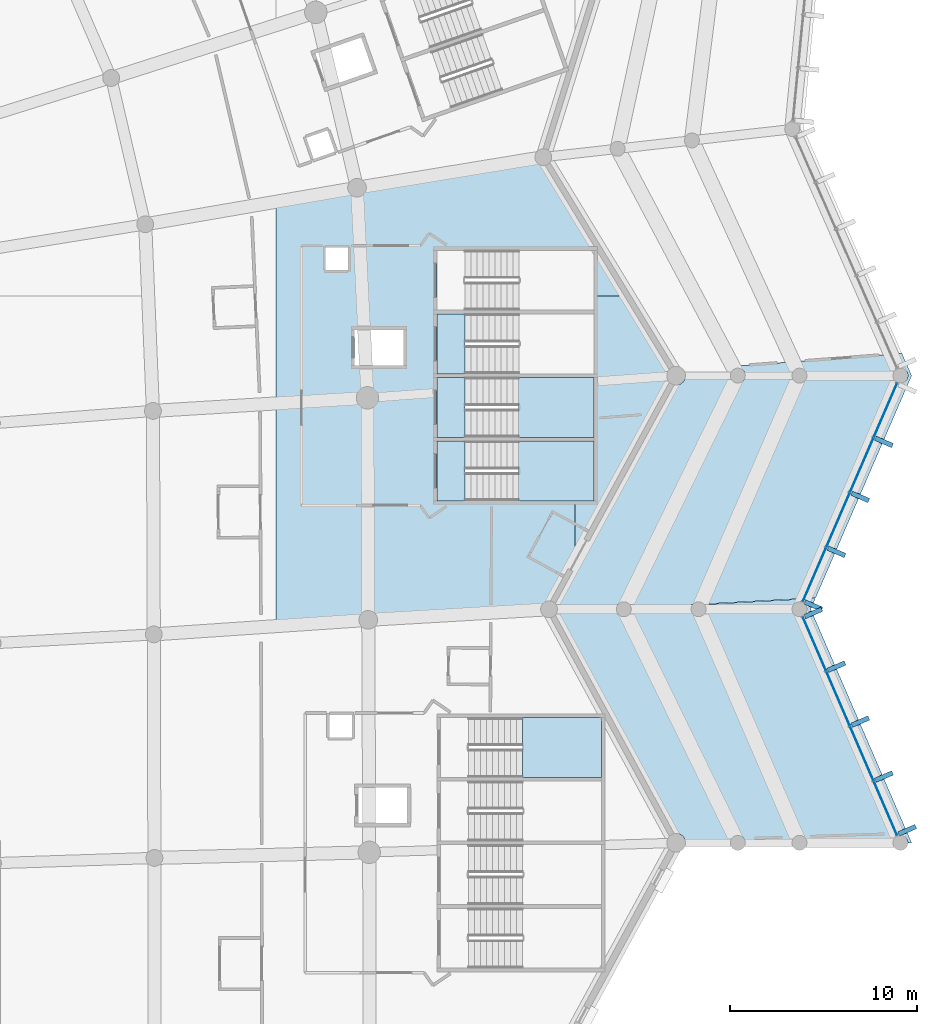
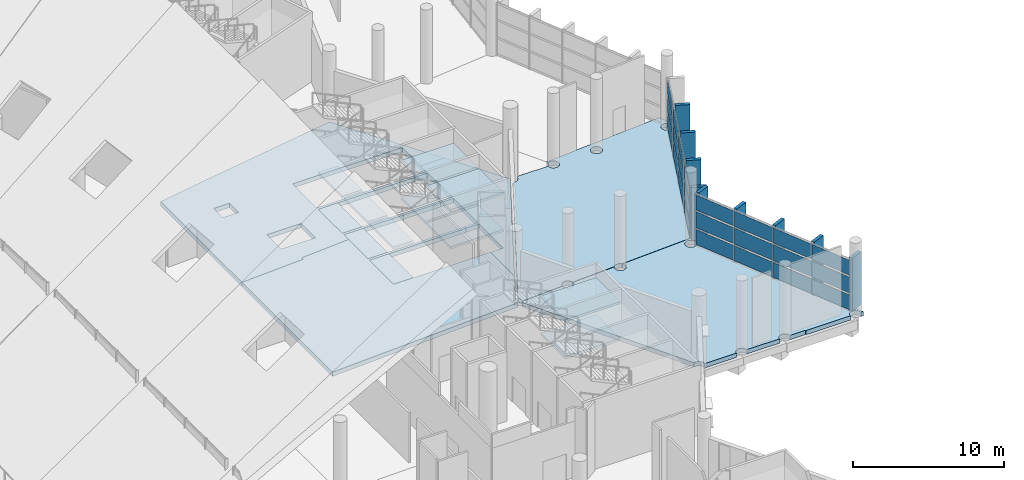
# One storey, part 129 of 249: 33 plates, 17 slabs, 6 elements without a shape of their own.
"""IFC4 building model written with IfcOpenShell, lengths in metres."""

from ifc_helpers import new_model, si_unit, direction, frame, origin, origin_2d, place, context, subcontext, project, spatial, polyline, rectangle, outline, extrude, material, layer, layer_set, type_object, element, aggregate, save


model = new_model("IFC4")

# Units and contexts
model_context = context("Model", 3, precision=1e-05, world=origin(), true_north=direction((0.0, 1.0)))
body_context = subcontext(model_context, "Body", "Model", "MODEL_VIEW")
ifc_project = project(units=[si_unit("LENGTHUNIT", "METRE"), si_unit("AREAUNIT", "SQUARE_METRE"), si_unit("VOLUMEUNIT", "CUBIC_METRE"), si_unit("PLANEANGLEUNIT", "RADIAN"), si_unit("MASSUNIT", "GRAM", prefix="KILO")], contexts=[model_context])

# Site, building, storey
site_placement = place(None, origin())
site = spatial("IfcSite", under=ifc_project, at=site_placement, CompositionType="ELEMENT")
building_placement = place(site_placement, origin())
building = spatial("IfcBuilding", under=site, at=building_placement, Name="Meseta Stadium", CompositionType="ELEMENT")
storey_placement = place(building_placement, frame((0.0, 0.0, 12.0)))
storey = spatial("IfcBuildingStorey", under=building, at=storey_placement, Name="L02", CompositionType="ELEMENT", Elevation=12.0)

# Slabs
ifc_material_1 = material(Name="Concrete C40/50", Category="concrete")
ifc_layer_1 = layer(ifc_material_1, 0.35009765625)
ifc_layer_set_1 = layer_set([ifc_layer_1], Name="Floor slab 350")
slab_type_1 = type_object("IfcSlabType", Name="Floor slab 350", PredefinedType="FLOOR", material=ifc_layer_set_1)
slab_1_placement = place(storey_placement, frame((0.0, 0.0, -0.35009765625)))
element("IfcSlab", 1, at=slab_1_placement, inside=storey, type_object=slab_type_1, Name="Floor slab L02 sector 07 panel 13", PredefinedType="FLOOR", context=body_context, shape_type="SweptSolid", body=[
    extrude(outline(polyline([(94.693115234375, 31.07861328125), (94.60009765625, 31.25), (96.0, 33.823486328125), (96.0, 37.050048828125), (88.60009765625, 37.050048828125), (88.60009765625, 40.25), (96.0, 40.25), (96.0, 40.449951171875), (88.60009765625, 40.449951171875), (88.60009765625, 43.028564453125), (84.875, 42.74267578125), (84.884033203125, 42.5615234375), (80.0, 42.263916015625), (80.0, 30.273193359375), (94.693115234375, 31.07861328125)])), origin(), (0.0, 0.0, 1.0), 0.35009765625),
])
slab_2_placement = place(storey_placement, frame((0.0, 0.0, -0.35009765625)))
element("IfcSlab", 2, at=slab_2_placement, inside=storey, type_object=slab_type_1, Name="Floor slab L02 sector 07 panel 14", PredefinedType="FLOOR", context=body_context, shape_type="SweptSolid", body=[
    extrude(outline(polyline([(88.60009765625, 47.25), (88.60009765625, 50.449951171875), (97.0, 50.449951171875), (97.0, 48.0), (98.81689453125, 48.0), (94.29443359375, 55.44140625), (84.3251953125, 53.801513671875), (80.0, 53.0556640625), (80.0, 42.263916015625), (84.884033203125, 42.5615234375), (84.875, 42.74267578125), (88.60009765625, 43.028564453125), (88.60009765625, 43.64990234375), (96.0, 43.64990234375), (96.0, 43.85009765625), (88.60009765625, 43.85009765625), (88.60009765625, 47.050048828125), (96.0, 47.050048828125), (96.0, 47.25), (88.60009765625, 47.25)]), holes=[polyline([(86.800048828125, 46.199951171875), (86.800048828125, 44.300048828125), (84.199951171875, 44.300048828125), (84.199951171875, 46.199951171875), (86.800048828125, 46.199951171875)]), polyline([(83.85009765625, 49.39990234375), (82.64990234375, 49.39990234375), (82.64990234375, 50.60009765625), (83.85009765625, 50.60009765625), (83.85009765625, 49.39990234375)])]), origin(), (0.0, 0.0, 1.0), 0.35009765625),
])
slab_3_placement = place(storey_placement, frame((0.0, 0.0, -0.35009765625)))
element("IfcSlab", 3, at=slab_3_placement, inside=storey, type_object=slab_type_1, Name="Floor slab L02 sector 07 panel 17", PredefinedType="FLOOR", context=body_context, shape_type="SweptSolid", body=[
    extrude(outline(polyline([(97.0, 40.25), (97.0, 37.050048828125), (96.0, 37.050048828125), (96.0, 33.823486328125), (101.39990234375, 43.75), (98.81689453125, 48.0), (97.0, 48.0), (97.0, 47.25), (96.0, 47.25), (96.0, 47.050048828125), (97.0, 47.050048828125), (97.0, 43.85009765625), (96.0, 43.85009765625), (96.0, 43.64990234375), (97.0, 43.64990234375), (97.0, 40.449951171875), (96.0, 40.449951171875), (96.0, 40.25), (97.0, 40.25)])), origin(), (0.0, 0.0, 1.0), 0.35009765625),
])
slab_4_placement = place(storey_placement, frame((0.0, 0.0, -0.35009765625)))
element("IfcSlab", 4, at=slab_4_placement, inside=storey, type_object=slab_type_1, Name="Ring floor slab L02 1 part 1 panel 07", PredefinedType="FLOOR", context=body_context, shape_type="SweptSolid", body=[
    extrude(outline(polyline([(101.904296875, 43.75), (101.88720703125, 43.619384765625), (101.836669921875, 43.497802734375), (101.756591796875, 43.393310546875), (101.652099609375, 43.313232421875), (101.530517578125, 43.262939453125), (101.39990234375, 43.24560546875), (101.30322265625, 43.25830078125), (94.935302734375, 31.55224609375), (94.9931640625, 31.476806640625), (95.038330078125, 31.367431640625), (95.053955078125, 31.25), (95.038330078125, 31.132568359375), (95.023681640625, 31.0966796875), (98.19921875, 31.27099609375), (98.210205078125, 31.3544921875), (98.25048828125, 31.45166015625), (98.314697265625, 31.535400390625), (98.398193359375, 31.599365234375), (98.49560546875, 31.6396484375), (98.60009765625, 31.653564453125), (98.704345703125, 31.6396484375), (98.8017578125, 31.599365234375), (98.88525390625, 31.535400390625), (98.949462890625, 31.45166015625), (98.98974609375, 31.3544921875), (98.9951171875, 31.314697265625), (102.28369140625, 31.494873046875), (102.314697265625, 31.535400390625), (102.398193359375, 31.599365234375), (102.49560546875, 31.6396484375), (102.60009765625, 31.653564453125), (102.704345703125, 31.6396484375), (102.8017578125, 31.599365234375), (102.88525390625, 31.535400390625), (102.890869140625, 31.5283203125), (108.861572265625, 31.85546875), (114.0, 43.75), (113.480712890625, 44.938232421875), (104.438232421875, 44.244140625), (104.511962890625, 44.10498046875), (104.595703125, 44.1396484375), (104.699951171875, 44.153564453125), (104.804443359375, 44.1396484375), (104.901611328125, 44.099365234375), (104.9853515625, 44.035400390625), (105.04931640625, 43.95166015625), (105.089599609375, 43.8544921875), (105.103515625, 43.75), (105.089599609375, 43.6455078125), (105.04931640625, 43.54833984375), (104.9853515625, 43.464599609375), (104.901611328125, 43.400634765625), (104.804443359375, 43.3603515625), (104.699951171875, 43.346435546875), (104.595703125, 43.3603515625), (104.498291015625, 43.400634765625), (104.414794921875, 43.464599609375), (104.3505859375, 43.54833984375), (104.310302734375, 43.6455078125), (104.29638671875, 43.75), (101.904296875, 43.75)]), holes=[polyline([(113.11474609375, 44.035400390625), (113.1982421875, 44.099365234375), (113.295654296875, 44.1396484375), (113.39990234375, 44.153564453125), (113.50439453125, 44.1396484375), (113.601806640625, 44.099365234375), (113.685302734375, 44.035400390625), (113.74951171875, 43.95166015625), (113.789794921875, 43.8544921875), (113.803466796875, 43.75), (113.789794921875, 43.6455078125), (113.74951171875, 43.54833984375), (113.685302734375, 43.464599609375), (113.601806640625, 43.400634765625), (113.50439453125, 43.3603515625), (113.39990234375, 43.346435546875), (113.295654296875, 43.3603515625), (113.1982421875, 43.400634765625), (113.11474609375, 43.464599609375), (113.050537109375, 43.54833984375), (113.01025390625, 43.6455078125), (112.99658203125, 43.75), (113.01025390625, 43.8544921875), (113.050537109375, 43.95166015625), (113.11474609375, 44.035400390625)]), polyline([(108.20166015625, 44.099365234375), (108.285400390625, 44.035400390625), (108.349365234375, 43.95166015625), (108.3896484375, 43.8544921875), (108.403564453125, 43.75), (108.3896484375, 43.6455078125), (108.349365234375, 43.54833984375), (108.285400390625, 43.464599609375), (108.20166015625, 43.400634765625), (108.1044921875, 43.3603515625), (108.0, 43.346435546875), (107.8955078125, 43.3603515625), (107.79833984375, 43.400634765625), (107.714599609375, 43.464599609375), (107.650634765625, 43.54833984375), (107.6103515625, 43.6455078125), (107.596435546875, 43.75), (107.6103515625, 43.8544921875), (107.650634765625, 43.95166015625), (107.714599609375, 44.035400390625), (107.79833984375, 44.099365234375), (107.8955078125, 44.1396484375), (108.0, 44.153564453125), (108.1044921875, 44.1396484375), (108.20166015625, 44.099365234375)])]), origin(), (0.0, 0.0, 1.0), 0.35009765625),
])
slab_5_placement = place(storey_placement, frame((0.0, 0.0, -0.35009765625)))
element("IfcSlab", 5, at=slab_5_placement, inside=storey, type_object=slab_type_1, Name="Ring floor slab L02 1 part 2", PredefinedType="FLOOR", context=body_context, shape_type="SweptSolid", body=[
    extrude(outline(polyline([(101.88720703125, 18.880615234375), (101.898681640625, 18.79150390625), (104.302001953125, 18.79150390625), (104.310302734375, 18.8544921875), (104.3505859375, 18.95166015625), (104.414794921875, 19.035400390625), (104.498291015625, 19.099365234375), (104.595703125, 19.1396484375), (104.699951171875, 19.153564453125), (104.804443359375, 19.1396484375), (104.901611328125, 19.099365234375), (104.9853515625, 19.035400390625), (105.04931640625, 18.95166015625), (105.089599609375, 18.8544921875), (105.097900390625, 18.79150390625), (107.60205078125, 18.79150390625), (107.6103515625, 18.8544921875), (107.650634765625, 18.95166015625), (107.714599609375, 19.035400390625), (107.79833984375, 19.099365234375), (107.8955078125, 19.1396484375), (108.0, 19.153564453125), (108.1044921875, 19.1396484375), (108.20166015625, 19.099365234375), (108.285400390625, 19.035400390625), (108.349365234375, 18.95166015625), (108.3896484375, 18.8544921875), (108.39794921875, 18.79150390625), (109.593994140625, 18.79150390625), (109.60009765625, 18.75), (112.99658203125, 18.75), (113.01025390625, 18.8544921875), (113.050537109375, 18.95166015625), (113.11474609375, 19.035400390625), (113.1982421875, 19.099365234375), (113.295654296875, 19.1396484375), (113.39990234375, 19.153564453125), (113.50439453125, 19.1396484375), (113.601806640625, 19.099365234375), (113.685302734375, 19.035400390625), (113.74951171875, 18.95166015625), (113.789794921875, 18.8544921875), (113.803466796875, 18.75), (114.0, 18.75), (108.60009765625, 31.25), (108.852783203125, 31.8349609375), (102.905517578125, 31.5087890625), (102.949462890625, 31.45166015625), (102.98974609375, 31.3544921875), (103.00341796875, 31.25), (102.98974609375, 31.1455078125), (102.949462890625, 31.04833984375), (102.88525390625, 30.964599609375), (102.8017578125, 30.900634765625), (102.704345703125, 30.8603515625), (102.60009765625, 30.846435546875), (102.49560546875, 30.8603515625), (102.398193359375, 30.900634765625), (102.314697265625, 30.964599609375), (102.25048828125, 31.04833984375), (102.210205078125, 31.1455078125), (102.196533203125, 31.25), (102.210205078125, 31.3544921875), (102.25048828125, 31.45166015625), (102.267578125, 31.47412109375), (98.99755859375, 31.294677734375), (99.00341796875, 31.25), (98.98974609375, 31.1455078125), (98.949462890625, 31.04833984375), (98.88525390625, 30.964599609375), (98.8017578125, 30.900634765625), (98.704345703125, 30.8603515625), (98.60009765625, 30.846435546875), (98.49560546875, 30.8603515625), (98.398193359375, 30.900634765625), (98.314697265625, 30.964599609375), (98.25048828125, 31.04833984375), (98.210205078125, 31.1455078125), (98.196533203125, 31.25), (98.196533203125, 31.250732421875), (95.01513671875, 31.076416015625), (94.9931640625, 31.023193359375), (94.935302734375, 30.94775390625), (101.30322265625, 19.24169921875), (101.39990234375, 19.25439453125), (101.530517578125, 19.237060546875), (101.652099609375, 19.186767578125), (101.756591796875, 19.106689453125), (101.836669921875, 19.002197265625), (101.88720703125, 18.880615234375)]), holes=[polyline([(108.0, 30.846435546875), (107.8955078125, 30.8603515625), (107.79833984375, 30.900634765625), (107.714599609375, 30.964599609375), (107.650634765625, 31.04833984375), (107.6103515625, 31.1455078125), (107.596435546875, 31.25), (107.6103515625, 31.3544921875), (107.650634765625, 31.45166015625), (107.714599609375, 31.535400390625), (107.79833984375, 31.599365234375), (107.8955078125, 31.6396484375), (108.0, 31.653564453125), (108.1044921875, 31.6396484375), (108.20166015625, 31.599365234375), (108.285400390625, 31.535400390625), (108.349365234375, 31.45166015625), (108.3896484375, 31.3544921875), (108.403564453125, 31.25), (108.3896484375, 31.1455078125), (108.349365234375, 31.04833984375), (108.285400390625, 30.964599609375), (108.20166015625, 30.900634765625), (108.1044921875, 30.8603515625), (108.0, 30.846435546875)])]), origin(), (0.0, 0.0, 1.0), 0.35009765625),
])

# Curtain wall, plates
ifc_material_2 = material(Name="Aluminium", Category="aluminium")
ifc_layer_2 = layer(ifc_material_2, 0.199951171875)
ifc_layer_set_2 = layer_set([ifc_layer_2], Name="Ring shopfront curtain wall")
curtain_wall_type = type_object("IfcCurtainWallType", Name="Ring shopfront curtain wall", PredefinedType="NOTDEFINED", material=ifc_layer_set_2)
curtain_wall_1_placement = place(storey_placement, origin())
curtain_wall_1 = element("IfcCurtainWall", 6, at=curtain_wall_1_placement, inside=storey, type_object=curtain_wall_type, Name="Ring glazing L02 F06", PredefinedType="NOTDEFINED")
ifc_material_3 = material(Name="Glass", Category="glass")
ifc_layer_3 = layer(ifc_material_3, 0.035888671875)
ifc_layer_set_3 = layer_set([ifc_layer_3], Name="Ring CW glass panel 36")
plate_type_1 = type_object("IfcPlateType", Name="Ring CW glass panel 36", PredefinedType="CURTAIN_PANEL", material=ifc_layer_set_3)
plate_1_placement = place(storey_placement, frame((112.60009765625, 20.6015625, 0.14990234375), z_axis=(0.0, 0.0, 1.0), x_axis=(-0.396580687073, 0.91799986854, 0.0)))
plate_1 = element("IfcPlate", 7, at=plate_1_placement, type_object=plate_type_1, Name="CWR1 panel 1.1", PredefinedType="CURTAIN_PANEL", context=body_context, shape_type="SweptSolid", body=[
    extrude(rectangle(XDim=3.1142578125, YDim=0.035888671875, at=origin_2d()), origin(), (0.0, 0.0, 1.0), 1.208251953125),
])
plate_2_placement = place(storey_placement, frame((112.60009765625, 20.6015625, 1.50830078125), z_axis=(0.0, 0.0, 1.0), x_axis=(-0.396580687073, 0.91799986854, 0.0)))
plate_2 = element("IfcPlate", 8, at=plate_2_placement, type_object=plate_type_1, Name="CWR1 panel 1.2", PredefinedType="CURTAIN_PANEL", context=body_context, shape_type="SweptSolid", body=[
    extrude(rectangle(XDim=3.1142578125, YDim=0.035888671875, at=origin_2d()), origin(), (0.0, 0.0, 1.0), 1.283447265625),
])
plate_3_placement = place(storey_placement, frame((112.60009765625, 20.6015625, 2.94189453125), z_axis=(0.0, 0.0, 1.0), x_axis=(-0.396580687073, 0.91799986854, 0.0)))
plate_3 = element("IfcPlate", 9, at=plate_3_placement, type_object=plate_type_1, Name="CWR1 panel 1.3", PredefinedType="CURTAIN_PANEL", context=body_context, shape_type="SweptSolid", body=[
    extrude(rectangle(XDim=3.1142578125, YDim=0.035888671875, at=origin_2d()), origin(), (0.0, 0.0, 1.0), 1.208251953125),
])
plate_4_placement = place(storey_placement, frame((111.33544921875, 23.529296875, 0.14990234375), z_axis=(0.0, 0.0, 1.0), x_axis=(-0.396580687073, 0.91799986854, 0.0)))
plate_4 = element("IfcPlate", 10, at=plate_4_placement, type_object=plate_type_1, Name="CWR1 panel 2.1", PredefinedType="CURTAIN_PANEL", context=body_context, shape_type="SweptSolid", body=[
    extrude(rectangle(XDim=3.14404296875, YDim=0.035888671875, at=origin_2d()), origin(), (0.0, 0.0, 1.0), 1.208251953125),
])
plate_5_placement = place(storey_placement, frame((111.33544921875, 23.529296875, 1.50830078125), z_axis=(0.0, 0.0, 1.0), x_axis=(-0.396580687073, 0.91799986854, 0.0)))
plate_5 = element("IfcPlate", 11, at=plate_5_placement, type_object=plate_type_1, Name="CWR1 panel 2.2", PredefinedType="CURTAIN_PANEL", context=body_context, shape_type="SweptSolid", body=[
    extrude(rectangle(XDim=3.14404296875, YDim=0.035888671875, at=origin_2d()), origin(), (0.0, 0.0, 1.0), 1.283447265625),
])
plate_6_placement = place(storey_placement, frame((111.33544921875, 23.529296875, 2.94189453125), z_axis=(0.0, 0.0, 1.0), x_axis=(-0.396580687073, 0.91799986854, 0.0)))
plate_6 = element("IfcPlate", 12, at=plate_6_placement, type_object=plate_type_1, Name="CWR1 panel 2.3", PredefinedType="CURTAIN_PANEL", context=body_context, shape_type="SweptSolid", body=[
    extrude(rectangle(XDim=3.14404296875, YDim=0.035888671875, at=origin_2d()), origin(), (0.0, 0.0, 1.0), 1.208251953125),
])
plate_7_placement = place(storey_placement, frame((110.064697265625, 26.470703125, 0.14990234375), z_axis=(0.0, 0.0, 1.0), x_axis=(-0.396580687073, 0.91799986854, 0.0)))
plate_7 = element("IfcPlate", 13, at=plate_7_placement, type_object=plate_type_1, Name="CWR1 panel 3.1", PredefinedType="CURTAIN_PANEL", context=body_context, shape_type="SweptSolid", body=[
    extrude(rectangle(XDim=3.14404296875, YDim=0.035888671875, at=origin_2d()), origin(), (0.0, 0.0, 1.0), 1.208251953125),
])
plate_8_placement = place(storey_placement, frame((110.064697265625, 26.470703125, 1.50830078125), z_axis=(0.0, 0.0, 1.0), x_axis=(-0.396580687073, 0.91799986854, 0.0)))
plate_8 = element("IfcPlate", 14, at=plate_8_placement, type_object=plate_type_1, Name="CWR1 panel 3.2", PredefinedType="CURTAIN_PANEL", context=body_context, shape_type="SweptSolid", body=[
    extrude(rectangle(XDim=3.14404296875, YDim=0.035888671875, at=origin_2d()), origin(), (0.0, 0.0, 1.0), 1.283447265625),
])
plate_9_placement = place(storey_placement, frame((110.064697265625, 26.470703125, 2.94189453125), z_axis=(0.0, 0.0, 1.0), x_axis=(-0.396580687073, 0.91799986854, 0.0)))
plate_9 = element("IfcPlate", 15, at=plate_9_placement, type_object=plate_type_1, Name="CWR1 panel 3.3", PredefinedType="CURTAIN_PANEL", context=body_context, shape_type="SweptSolid", body=[
    extrude(rectangle(XDim=3.14404296875, YDim=0.035888671875, at=origin_2d()), origin(), (0.0, 0.0, 1.0), 1.208251953125),
])
plate_10_placement = place(storey_placement, frame((108.7998046875, 29.3984375, 0.14990234375), z_axis=(0.0, 0.0, 1.0), x_axis=(-0.396580687073, 0.91799986854, 0.0)))
plate_10 = element("IfcPlate", 16, at=plate_10_placement, type_object=plate_type_1, Name="CWR1 panel 4.1", PredefinedType="CURTAIN_PANEL", context=body_context, shape_type="SweptSolid", body=[
    extrude(rectangle(XDim=3.1142578125, YDim=0.035888671875, at=origin_2d()), origin(), (0.0, 0.0, 1.0), 1.208251953125),
])
plate_11_placement = place(storey_placement, frame((108.7998046875, 29.3984375, 1.50830078125), z_axis=(0.0, 0.0, 1.0), x_axis=(-0.396580687073, 0.91799986854, 0.0)))
plate_11 = element("IfcPlate", 17, at=plate_11_placement, type_object=plate_type_1, Name="CWR1 panel 4.2", PredefinedType="CURTAIN_PANEL", context=body_context, shape_type="SweptSolid", body=[
    extrude(rectangle(XDim=3.1142578125, YDim=0.035888671875, at=origin_2d()), origin(), (0.0, 0.0, 1.0), 1.283447265625),
])
plate_12_placement = place(storey_placement, frame((108.7998046875, 29.3984375, 2.94189453125), z_axis=(0.0, 0.0, 1.0), x_axis=(-0.396580687073, 0.91799986854, 0.0)))
plate_12 = element("IfcPlate", 18, at=plate_12_placement, type_object=plate_type_1, Name="CWR1 panel 4.3", PredefinedType="CURTAIN_PANEL", context=body_context, shape_type="SweptSolid", body=[
    extrude(rectangle(XDim=3.1142578125, YDim=0.035888671875, at=origin_2d()), origin(), (0.0, 0.0, 1.0), 1.208251953125),
])
aggregate(curtain_wall_1, [plate_1, plate_2, plate_3, plate_4, plate_5, plate_6, plate_7, plate_8, plate_9, plate_10, plate_11, plate_12])

curtain_wall_2_placement = place(storey_placement, origin())
curtain_wall_2 = element("IfcCurtainWall", 19, at=curtain_wall_2_placement, inside=storey, type_object=curtain_wall_type, Name="Ring glazing L02 F07", PredefinedType="NOTDEFINED")
plate_13_placement = place(storey_placement, frame((108.7998046875, 33.1015625, 0.14990234375), z_axis=(0.0, 0.0, 1.0), x_axis=(0.396580687073, 0.91799986854, 0.0)))
plate_13 = element("IfcPlate", 20, at=plate_13_placement, type_object=plate_type_1, Name="CWR1 panel 1.1", PredefinedType="CURTAIN_PANEL", context=body_context, shape_type="SweptSolid", body=[
    extrude(rectangle(XDim=3.1142578125, YDim=0.035888671875, at=origin_2d()), origin(), (0.0, 0.0, 1.0), 1.208251953125),
])
plate_14_placement = place(storey_placement, frame((108.7998046875, 33.1015625, 1.50830078125), z_axis=(0.0, 0.0, 1.0), x_axis=(0.396580687073, 0.91799986854, 0.0)))
plate_14 = element("IfcPlate", 21, at=plate_14_placement, type_object=plate_type_1, Name="CWR1 panel 1.2", PredefinedType="CURTAIN_PANEL", context=body_context, shape_type="SweptSolid", body=[
    extrude(rectangle(XDim=3.1142578125, YDim=0.035888671875, at=origin_2d()), origin(), (0.0, 0.0, 1.0), 1.283447265625),
])
plate_15_placement = place(storey_placement, frame((108.7998046875, 33.1015625, 2.94189453125), z_axis=(0.0, 0.0, 1.0), x_axis=(0.396580687073, 0.91799986854, 0.0)))
plate_15 = element("IfcPlate", 22, at=plate_15_placement, type_object=plate_type_1, Name="CWR1 panel 1.3", PredefinedType="CURTAIN_PANEL", context=body_context, shape_type="SweptSolid", body=[
    extrude(rectangle(XDim=3.1142578125, YDim=0.035888671875, at=origin_2d()), origin(), (0.0, 0.0, 1.0), 1.208251953125),
])
plate_16_placement = place(storey_placement, frame((110.064697265625, 36.029296875, 0.14990234375), z_axis=(0.0, 0.0, 1.0), x_axis=(0.396580687073, 0.91799986854, 0.0)))
plate_16 = element("IfcPlate", 23, at=plate_16_placement, type_object=plate_type_1, Name="CWR1 panel 2.1", PredefinedType="CURTAIN_PANEL", context=body_context, shape_type="SweptSolid", body=[
    extrude(rectangle(XDim=3.14404296875, YDim=0.035888671875, at=origin_2d()), origin(), (0.0, 0.0, 1.0), 1.208251953125),
])
plate_17_placement = place(storey_placement, frame((110.064697265625, 36.029296875, 1.50830078125), z_axis=(0.0, 0.0, 1.0), x_axis=(0.396580687073, 0.91799986854, 0.0)))
plate_17 = element("IfcPlate", 24, at=plate_17_placement, type_object=plate_type_1, Name="CWR1 panel 2.2", PredefinedType="CURTAIN_PANEL", context=body_context, shape_type="SweptSolid", body=[
    extrude(rectangle(XDim=3.14404296875, YDim=0.035888671875, at=origin_2d()), origin(), (0.0, 0.0, 1.0), 1.283447265625),
])
plate_18_placement = place(storey_placement, frame((110.064697265625, 36.029296875, 2.94189453125), z_axis=(0.0, 0.0, 1.0), x_axis=(0.396580687073, 0.91799986854, 0.0)))
plate_18 = element("IfcPlate", 25, at=plate_18_placement, type_object=plate_type_1, Name="CWR1 panel 2.3", PredefinedType="CURTAIN_PANEL", context=body_context, shape_type="SweptSolid", body=[
    extrude(rectangle(XDim=3.14404296875, YDim=0.035888671875, at=origin_2d()), origin(), (0.0, 0.0, 1.0), 1.208251953125),
])
plate_19_placement = place(storey_placement, frame((111.33544921875, 38.970703125, 0.14990234375), z_axis=(0.0, 0.0, 1.0), x_axis=(0.396580687073, 0.91799986854, 0.0)))
plate_19 = element("IfcPlate", 26, at=plate_19_placement, type_object=plate_type_1, Name="CWR1 panel 3.1", PredefinedType="CURTAIN_PANEL", context=body_context, shape_type="SweptSolid", body=[
    extrude(rectangle(XDim=3.14404296875, YDim=0.035888671875, at=origin_2d()), origin(), (0.0, 0.0, 1.0), 1.208251953125),
])
plate_20_placement = place(storey_placement, frame((111.33544921875, 38.970703125, 1.50830078125), z_axis=(0.0, 0.0, 1.0), x_axis=(0.396580687073, 0.91799986854, 0.0)))
plate_20 = element("IfcPlate", 27, at=plate_20_placement, type_object=plate_type_1, Name="CWR1 panel 3.2", PredefinedType="CURTAIN_PANEL", context=body_context, shape_type="SweptSolid", body=[
    extrude(rectangle(XDim=3.14404296875, YDim=0.035888671875, at=origin_2d()), origin(), (0.0, 0.0, 1.0), 1.283447265625),
])
plate_21_placement = place(storey_placement, frame((111.33544921875, 38.970703125, 2.94189453125), z_axis=(0.0, 0.0, 1.0), x_axis=(0.396580687073, 0.91799986854, 0.0)))
plate_21 = element("IfcPlate", 28, at=plate_21_placement, type_object=plate_type_1, Name="CWR1 panel 3.3", PredefinedType="CURTAIN_PANEL", context=body_context, shape_type="SweptSolid", body=[
    extrude(rectangle(XDim=3.14404296875, YDim=0.035888671875, at=origin_2d()), origin(), (0.0, 0.0, 1.0), 1.208251953125),
])
plate_22_placement = place(storey_placement, frame((112.60009765625, 41.8984375, 0.14990234375), z_axis=(0.0, 0.0, 1.0), x_axis=(0.396580687073, 0.91799986854, 0.0)))
plate_22 = element("IfcPlate", 29, at=plate_22_placement, type_object=plate_type_1, Name="CWR1 panel 4.1", PredefinedType="CURTAIN_PANEL", context=body_context, shape_type="SweptSolid", body=[
    extrude(rectangle(XDim=3.1142578125, YDim=0.035888671875, at=origin_2d()), origin(), (0.0, 0.0, 1.0), 1.208251953125),
])
plate_23_placement = place(storey_placement, frame((112.60009765625, 41.8984375, 1.50830078125), z_axis=(0.0, 0.0, 1.0), x_axis=(0.396580687073, 0.91799986854, 0.0)))
plate_23 = element("IfcPlate", 30, at=plate_23_placement, type_object=plate_type_1, Name="CWR1 panel 4.2", PredefinedType="CURTAIN_PANEL", context=body_context, shape_type="SweptSolid", body=[
    extrude(rectangle(XDim=3.1142578125, YDim=0.035888671875, at=origin_2d()), origin(), (0.0, 0.0, 1.0), 1.283447265625),
])
plate_24_placement = place(storey_placement, frame((112.60009765625, 41.8984375, 2.94189453125), z_axis=(0.0, 0.0, 1.0), x_axis=(0.396580687073, 0.91799986854, 0.0)))
plate_24 = element("IfcPlate", 31, at=plate_24_placement, type_object=plate_type_1, Name="CWR1 panel 4.3", PredefinedType="CURTAIN_PANEL", context=body_context, shape_type="SweptSolid", body=[
    extrude(rectangle(XDim=3.1142578125, YDim=0.035888671875, at=origin_2d()), origin(), (0.0, 0.0, 1.0), 1.208251953125),
])
aggregate(curtain_wall_2, [plate_13, plate_14, plate_15, plate_16, plate_17, plate_18, plate_19, plate_20, plate_21, plate_22, plate_23, plate_24])

# Plates
ifc_material_4 = material(Name="Precast concrete C40/50", Category="concrete")
ifc_layer_4 = layer(ifc_material_4, 0.25)
ifc_layer_set_4 = layer_set([ifc_layer_4], Name="Ring brise-soleil fin 250x1000")
plate_type_2 = type_object("IfcPlateType", Name="Ring brise-soleil fin 250x1000", PredefinedType="USERDEFINED", material=ifc_layer_set_4)
for number, where, z_axis, x_axis, name in (
    (32, (113.762451171875, 19.424072265625, 0.0), (0.0, 0.0, 1.0), (-0.396575976693, 0.918001903435, 0.0), "Brise-soleil fin L02 F06.1"),
    (33, (112.521484375, 22.29638671875, 0.0), (0.0, 0.0, 1.0), (-0.396575976693, 0.918001903435, 0.0), "Brise-soleil fin L02 F06.2"),
    (34, (111.250732421875, 25.23779296875, 0.0), (0.0, 0.0, 1.0), (-0.396575976693, 0.918001903435, 0.0), "Brise-soleil fin L02 F06.3"),
    (35, (109.97998046875, 28.17919921875, 0.0), (0.0, 0.0, 1.0), (-0.396575976693, 0.918001903435, 0.0), "Brise-soleil fin L02 F06.4"),
    (36, (108.7392578125, 31.052001953125, 0.0), (0.0, 0.0, 1.0), (-0.396575976693, 0.918001903435, 0.0), "Brise-soleil fin L02 F06.5"),
    (37, (108.7392578125, 31.447998046875, 0.0), (0.0, 0.0, 1.0), (0.396575976693, 0.918001903435, 0.0), "Brise-soleil fin L02 F07.1"),
    (38, (109.97998046875, 34.32080078125, 0.0), (0.0, 0.0, 1.0), (0.396575976693, 0.918001903435, 0.0), "Brise-soleil fin L02 F07.2"),
    (39, (111.250732421875, 37.26220703125, 0.0), (0.0, 0.0, 1.0), (0.396575976693, 0.918001903435, 0.0), "Brise-soleil fin L02 F07.3"),
    (40, (112.521484375, 40.20361328125, 0.0), (0.0, 0.0, 1.0), (0.396575976693, 0.918001903435, 0.0), "Brise-soleil fin L02 F07.4"),
):
    element("IfcPlate", number, at=place(storey_placement, frame(where, z_axis=z_axis, x_axis=x_axis)), inside=storey, type_object=plate_type_2, Name=name, ObjectType="FIN", PredefinedType="USERDEFINED", context=body_context, shape_type="SweptSolid", body=[
        extrude(rectangle(XDim=0.25, YDim=1.0, at=origin_2d()), origin(), (0.0, 0.0, 1.0), 4.300048828125),
    ])

# Stair, slabs
ifc_material_5 = material(Name="Concrete C40/50", Category="concrete")
stair_type = type_object("IfcStairType", Name="Exit stair 4 flights 150 mm risers", PredefinedType="HALF_TURN_STAIR", material=ifc_material_5)
stair_1_placement = place(storey_placement, origin())
stair_1 = element("IfcStair", 41, at=stair_1_placement, inside=storey, type_object=stair_type, Name="ST16 L02", PredefinedType="HALF_TURN_STAIR")
ifc_material_6 = material(Name="Concrete C40/50", Category="concrete")
ifc_layer_5 = layer(ifc_material_6, 0.199951171875)
ifc_layer_set_5 = layer_set([ifc_layer_5], Name="Stair landing 200")
slab_type_2 = type_object("IfcSlabType", Name="Stair landing 200", PredefinedType="LANDING", material=ifc_layer_set_5)
slab_6_placement = place(storey_placement, frame((0.0, 0.0, 1.300048828125)))
slab_6 = element("IfcSlab", 42, at=slab_6_placement, type_object=slab_type_2, Name="ST16 L02 landing 1", PredefinedType="LANDING", context=body_context, shape_type="SweptSolid", body=[
    extrude(outline(polyline([(93.169921875, 22.25), (97.39990234375, 22.25), (97.39990234375, 25.449951171875), (93.169921875, 25.449951171875), (93.169921875, 22.25)])), origin(), (0.0, 0.0, 1.0), 0.199951171875),
])
slab_7_placement = place(storey_placement, frame((0.0, 0.0, 4.300048828125)))
slab_7 = element("IfcSlab", 43, at=slab_7_placement, type_object=slab_type_2, Name="ST16 L02 landing 3", PredefinedType="LANDING", context=body_context, shape_type="SweptSolid", body=[
    extrude(outline(polyline([(93.169921875, 22.25), (97.39990234375, 22.25), (97.39990234375, 25.449951171875), (93.169921875, 25.449951171875), (93.169921875, 22.25)])), origin(), (0.0, 0.0, 1.0), 0.199951171875),
])
aggregate(stair_1, [slab_6, slab_7])

stair_2_placement = place(storey_placement, origin())
stair_2 = element("IfcStair", 44, at=stair_2_placement, inside=storey, type_object=stair_type, Name="ST17 L02", PredefinedType="HALF_TURN_STAIR")
slab_8_placement = place(storey_placement, frame((0.0, 0.0, 1.300048828125)))
slab_8 = element("IfcSlab", 45, at=slab_8_placement, type_object=slab_type_2, Name="ST17 L02 landing 1", PredefinedType="LANDING", context=body_context, shape_type="SweptSolid", body=[
    extrude(outline(polyline([(92.969970703125, 37.050048828125), (97.0, 37.050048828125), (97.0, 40.25), (92.969970703125, 40.25), (92.969970703125, 37.050048828125)])), origin(), (0.0, 0.0, 1.0), 0.199951171875),
])
slab_9_placement = place(storey_placement, frame((0.0, 0.0, 2.800048828125)))
slab_9 = element("IfcSlab", 46, at=slab_9_placement, type_object=slab_type_2, Name="ST17 L02 landing 2", PredefinedType="LANDING", context=body_context, shape_type="SweptSolid", body=[
    extrude(outline(polyline([(88.60009765625, 37.050048828125), (90.110107421875, 37.050048828125), (90.110107421875, 40.25), (88.60009765625, 40.25), (88.60009765625, 37.050048828125)])), origin(), (0.0, 0.0, 1.0), 0.199951171875),
])
slab_10_placement = place(storey_placement, frame((0.0, 0.0, 4.300048828125)))
slab_10 = element("IfcSlab", 47, at=slab_10_placement, type_object=slab_type_2, Name="ST17 L02 landing 3", PredefinedType="LANDING", context=body_context, shape_type="SweptSolid", body=[
    extrude(outline(polyline([(92.969970703125, 37.050048828125), (97.0, 37.050048828125), (97.0, 40.25), (92.969970703125, 40.25), (92.969970703125, 37.050048828125)])), origin(), (0.0, 0.0, 1.0), 0.199951171875),
])
slab_11_placement = place(storey_placement, frame((0.0, 0.0, -0.199951171875)))
slab_11 = element("IfcSlab", 48, at=slab_11_placement, type_object=slab_type_2, Name="ST17 L02 landing 4", PredefinedType="LANDING", context=body_context, shape_type="SweptSolid", body=[
    extrude(outline(polyline([(88.60009765625, 37.050048828125), (90.110107421875, 37.050048828125), (90.110107421875, 40.25), (88.60009765625, 40.25), (88.60009765625, 37.050048828125)])), origin(), (0.0, 0.0, 1.0), 0.199951171875),
])
aggregate(stair_2, [slab_8, slab_9, slab_10, slab_11])

stair_3_placement = place(storey_placement, origin())
stair_3 = element("IfcStair", 49, at=stair_3_placement, inside=storey, type_object=stair_type, Name="ST18 L02", PredefinedType="HALF_TURN_STAIR")
slab_12_placement = place(storey_placement, frame((0.0, 0.0, 1.300048828125)))
slab_12 = element("IfcSlab", 50, at=slab_12_placement, type_object=slab_type_2, Name="ST18 L02 landing 1", PredefinedType="LANDING", context=body_context, shape_type="SweptSolid", body=[
    extrude(outline(polyline([(92.969970703125, 40.449951171875), (97.0, 40.449951171875), (97.0, 43.64990234375), (92.969970703125, 43.64990234375), (92.969970703125, 40.449951171875)])), origin(), (0.0, 0.0, 1.0), 0.199951171875),
])
slab_13_placement = place(storey_placement, frame((0.0, 0.0, 2.800048828125)))
slab_13 = element("IfcSlab", 51, at=slab_13_placement, type_object=slab_type_2, Name="ST18 L02 landing 2", PredefinedType="LANDING", context=body_context, shape_type="SweptSolid", body=[
    extrude(outline(polyline([(88.60009765625, 40.449951171875), (90.110107421875, 40.449951171875), (90.110107421875, 43.64990234375), (88.60009765625, 43.64990234375), (88.60009765625, 40.449951171875)])), origin(), (0.0, 0.0, 1.0), 0.199951171875),
])
slab_14_placement = place(storey_placement, frame((0.0, 0.0, 4.300048828125)))
slab_14 = element("IfcSlab", 52, at=slab_14_placement, type_object=slab_type_2, Name="ST18 L02 landing 3", PredefinedType="LANDING", context=body_context, shape_type="SweptSolid", body=[
    extrude(outline(polyline([(92.969970703125, 40.449951171875), (97.0, 40.449951171875), (97.0, 43.64990234375), (92.969970703125, 43.64990234375), (92.969970703125, 40.449951171875)])), origin(), (0.0, 0.0, 1.0), 0.199951171875),
])
slab_15_placement = place(storey_placement, frame((0.0, 0.0, -0.199951171875)))
slab_15 = element("IfcSlab", 53, at=slab_15_placement, type_object=slab_type_2, Name="ST18 L02 landing 4", PredefinedType="LANDING", context=body_context, shape_type="SweptSolid", body=[
    extrude(outline(polyline([(88.60009765625, 40.449951171875), (90.110107421875, 40.449951171875), (90.110107421875, 43.64990234375), (88.60009765625, 43.64990234375), (88.60009765625, 40.449951171875)])), origin(), (0.0, 0.0, 1.0), 0.199951171875),
])
aggregate(stair_3, [slab_12, slab_13, slab_14, slab_15])

stair_4_placement = place(storey_placement, origin())
stair_4 = element("IfcStair", 54, at=stair_4_placement, inside=storey, type_object=stair_type, Name="ST19 L02", PredefinedType="HALF_TURN_STAIR")
slab_16_placement = place(storey_placement, frame((0.0, 0.0, 2.800048828125)))
slab_16 = element("IfcSlab", 55, at=slab_16_placement, type_object=slab_type_2, Name="ST19 L02 landing 2", PredefinedType="LANDING", context=body_context, shape_type="SweptSolid", body=[
    extrude(outline(polyline([(88.60009765625, 43.85009765625), (90.110107421875, 43.85009765625), (90.110107421875, 47.050048828125), (88.60009765625, 47.050048828125), (88.60009765625, 43.85009765625)])), origin(), (0.0, 0.0, 1.0), 0.199951171875),
])
slab_17_placement = place(storey_placement, frame((0.0, 0.0, -0.199951171875)))
slab_17 = element("IfcSlab", 56, at=slab_17_placement, type_object=slab_type_2, Name="ST19 L02 landing 4", PredefinedType="LANDING", context=body_context, shape_type="SweptSolid", body=[
    extrude(outline(polyline([(88.60009765625, 43.85009765625), (90.110107421875, 43.85009765625), (90.110107421875, 47.050048828125), (88.60009765625, 47.050048828125), (88.60009765625, 43.85009765625)])), origin(), (0.0, 0.0, 1.0), 0.199951171875),
])
aggregate(stair_4, [slab_16, slab_17])

save(model, "model.ifc")
